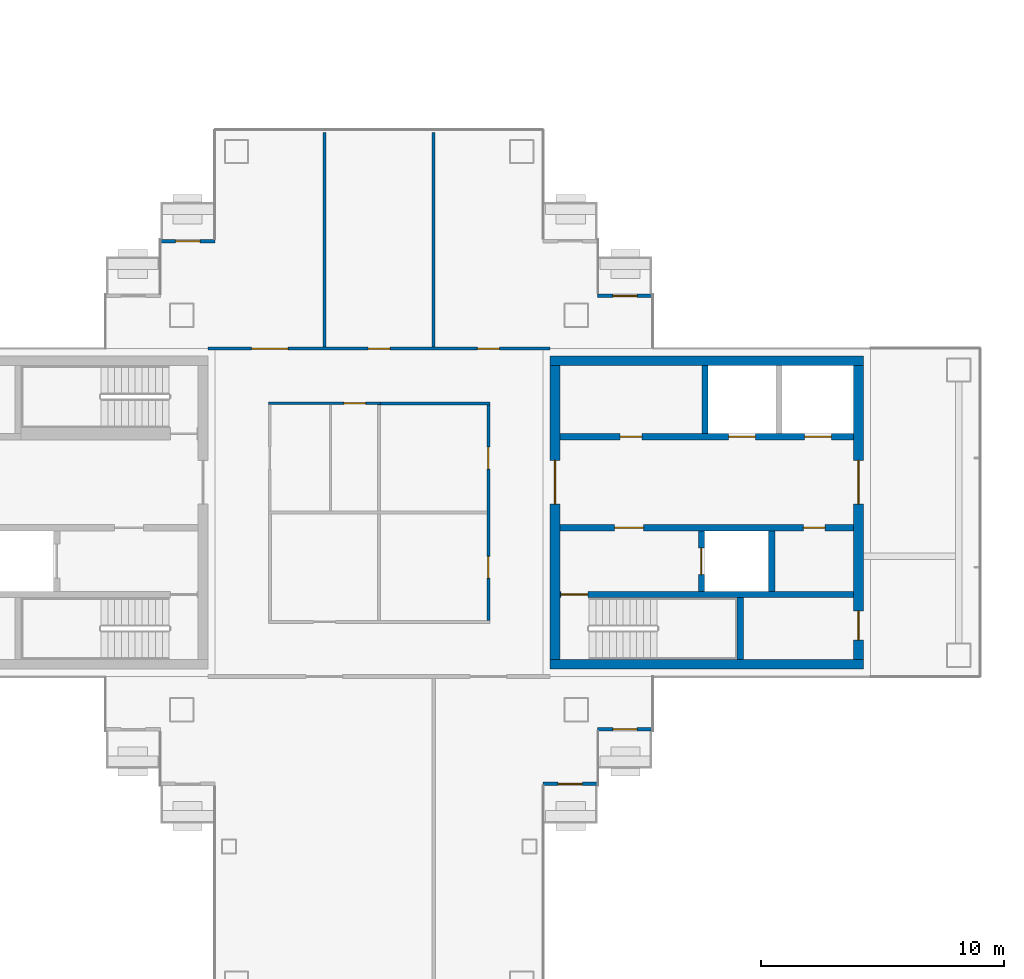
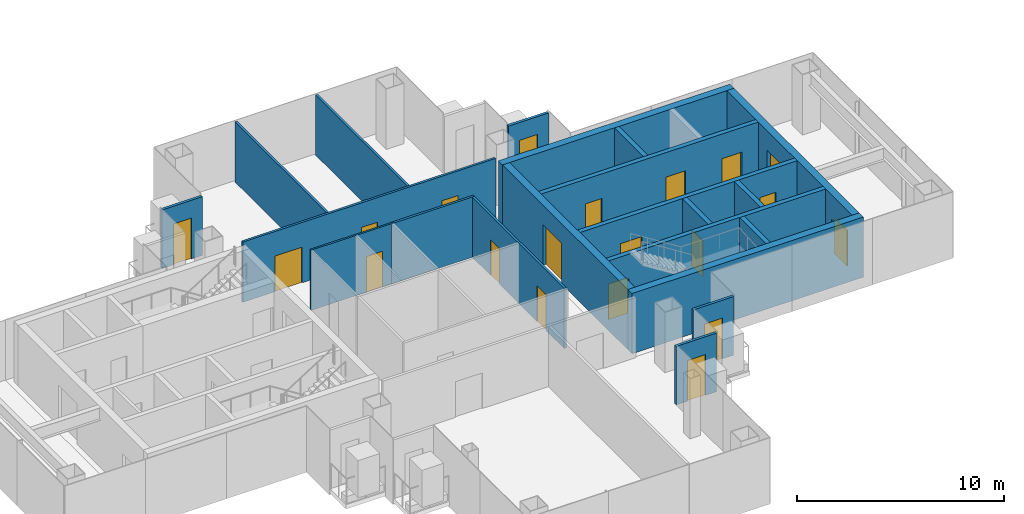
# One storey, part 9 of 15: 21 walls, 20 doors, 20 openings.
"""IFC4 building model written with IfcOpenShell, lengths in metres."""

from ifc_helpers import new_model, si_unit, direction, frame, frame_2d, origin, place, context, subcontext, project, spatial, rectangle, extrude, material, layer, layer_set, type_object, element, fill, save


model = new_model("IFC4")

# Units and contexts
model_context = context("Model", 3, precision=1e-05, world=origin(), true_north=direction((0.0, 1.0)))
body_context = subcontext(model_context, "Body", "Model", "MODEL_VIEW")
ifc_project = project(units=[si_unit("LENGTHUNIT", "METRE"), si_unit("AREAUNIT", "SQUARE_METRE"), si_unit("VOLUMEUNIT", "CUBIC_METRE"), si_unit("PLANEANGLEUNIT", "RADIAN"), si_unit("MASSUNIT", "GRAM", prefix="KILO")], contexts=[model_context])

# Site, building, storey
site_placement = place(None, origin())
site = spatial("IfcSite", under=ifc_project, at=site_placement, CompositionType="ELEMENT")
building_placement = place(site_placement, origin())
building = spatial("IfcBuilding", under=site, at=building_placement, Name="Shamsa Quay Exchange Towers", CompositionType="ELEMENT")
storey_placement = place(building_placement, frame((0.0, 0.0, 202.199951171875)))
storey = spatial("IfcBuildingStorey", under=building, at=storey_placement, Name="L48", CompositionType="ELEMENT", Elevation=202.199951171875)

# Wall, opening, door
ifc_material_1 = material(Name="Aluminium EN AW-6063 T6, black anodised, with black enamelled glass infill", Category="aluminium")
ifc_layer_1 = layer(ifc_material_1, 0.14990234375)
ifc_layer_set_1 = layer_set([ifc_layer_1], Name="BALCONY DOOR BAY WALL 150")
wall_type_1 = type_object("IfcWallType", Name="BALCONY DOOR BAY WALL 150", PredefinedType="SOLIDWALL", material=ifc_layer_set_1)
wall_1_placement = place(storey_placement, frame((-24.75, 8.925048828125, 0.0)))
wall_1 = element("IfcWall", 1, at=wall_1_placement, inside=storey, type_object=wall_type_1, Name="Door bay T1-PKEN L48", PredefinedType="SOLIDWALL", context=body_context, shape_type="SweptSolid", body=[
    extrude(rectangle(XDim=2.25, YDim=0.14990234375, at=frame_2d((1.125, 0.0))), origin(), (0.0, 0.0, 1.0), 3.449951171875),
])
opening_1_placement = place(wall_1_placement, frame((0.625, 0.0, 0.0)))
opening_1 = element("IfcOpeningElement", 2, at=opening_1_placement, cuts=wall_1, Name="Opening XD313", PredefinedType="OPENING", context=body_context, shape_type="SweptSolid", body=[
    extrude(rectangle(XDim=1.0, YDim=2.39990234375, at=frame_2d((0.5, 1.199951171875))), frame((0.0, 0.0849609375, 0.0), z_axis=(0.0, -1.0, 0.0), x_axis=(1.0, 0.0, 0.0)), (0.0, 0.0, 1.0), 0.169921875),
])
ifc_material_2 = material(Name="Aluminium EN AW-6063 T6, black anodised, with laminated glass leaf", Category="aluminium")
door_type_1 = type_object("IfcDoorType", Name="BALCONY DOOR 1000x2400", OperationType="SINGLE_SWING_LEFT", PredefinedType="DOOR", material=ifc_material_2)
door_1_placement = place(opening_1_placement, origin())
door_1 = element("IfcDoor", 3, at=door_1_placement, inside=storey, type_object=door_type_1, Name="Balcony door T1-PKEN L48", OperationType="SINGLE_SWING_RIGHT", OverallHeight=2.39990234375, OverallWidth=1.0, PredefinedType="DOOR", context=body_context, shape_type="SweptSolid", body=[
    extrude(rectangle(XDim=1.0, YDim=2.39990234375, at=frame_2d((0.5, 1.199951171875))), frame((0.0, 0.02490234375, 0.0), z_axis=(0.0, -1.0, 0.0), x_axis=(1.0, 0.0, 0.0)), (0.0, 0.0, 1.0), 0.050048828125),
])
fill(opening_1, door_1)

wall_2_placement = place(storey_placement, frame((-22.5, -8.925048828125, 0.0), z_axis=(0.0, 0.0, 1.0), x_axis=(-1.0, 0.0, 0.0)))
wall_2 = element("IfcWall", 4, at=wall_2_placement, inside=storey, type_object=wall_type_1, Name="Door bay T1-PKES L48", PredefinedType="SOLIDWALL", context=body_context, shape_type="SweptSolid", body=[
    extrude(rectangle(XDim=2.25, YDim=0.14990234375, at=frame_2d((1.125, 0.0))), origin(), (0.0, 0.0, 1.0), 3.449951171875),
])
opening_2_placement = place(wall_2_placement, frame((0.625, 0.0, 0.0)))
opening_2 = element("IfcOpeningElement", 5, at=opening_2_placement, cuts=wall_2, Name="Opening XD315", PredefinedType="OPENING", context=body_context, shape_type="SweptSolid", body=[
    extrude(rectangle(XDim=1.0, YDim=2.39990234375, at=frame_2d((0.5, 1.199951171875))), frame((0.0, 0.0849609375, 0.0), z_axis=(0.0, -1.0, 0.0), x_axis=(1.0, 0.0, 0.0)), (0.0, 0.0, 1.0), 0.169921875),
])
door_2_placement = place(opening_2_placement, origin())
door_2 = element("IfcDoor", 6, at=door_2_placement, inside=storey, type_object=door_type_1, Name="Balcony door T1-PKES L48", OperationType="SINGLE_SWING_RIGHT", OverallHeight=2.39990234375, OverallWidth=1.0, PredefinedType="DOOR", context=body_context, shape_type="SweptSolid", body=[
    extrude(rectangle(XDim=1.0, YDim=2.39990234375, at=frame_2d((0.5, 1.199951171875))), frame((0.0, 0.02490234375, 0.0), z_axis=(0.0, -1.0, 0.0), x_axis=(1.0, 0.0, 0.0)), (0.0, 0.0, 1.0), 0.050048828125),
])
fill(opening_2, door_2)

wall_3_placement = place(storey_placement, frame((-24.75, -11.175048828125, 0.0), z_axis=(0.0, 0.0, 1.0), x_axis=(-1.0, 0.0, 0.0)))
wall_3 = element("IfcWall", 7, at=wall_3_placement, inside=storey, type_object=wall_type_1, Name="Door bay T1-PKES L48", PredefinedType="SOLIDWALL", context=body_context, shape_type="SweptSolid", body=[
    extrude(rectangle(XDim=2.25, YDim=0.14990234375, at=frame_2d((1.125, 0.0))), origin(), (0.0, 0.0, 1.0), 3.449951171875),
])
opening_3_placement = place(wall_3_placement, frame((0.625, 0.0, 0.0)))
opening_3 = element("IfcOpeningElement", 8, at=opening_3_placement, cuts=wall_3, Name="Opening XD316", PredefinedType="OPENING", context=body_context, shape_type="SweptSolid", body=[
    extrude(rectangle(XDim=1.0, YDim=2.39990234375, at=frame_2d((0.5, 1.199951171875))), frame((0.0, 0.0849609375, 0.0), z_axis=(0.0, -1.0, 0.0), x_axis=(1.0, 0.0, 0.0)), (0.0, 0.0, 1.0), 0.169921875),
])
door_3_placement = place(opening_3_placement, origin())
door_3 = element("IfcDoor", 9, at=door_3_placement, inside=storey, type_object=door_type_1, Name="Balcony door T1-PKES L48", OperationType="SINGLE_SWING_LEFT", OverallHeight=2.39990234375, OverallWidth=1.0, PredefinedType="DOOR", context=body_context, shape_type="SweptSolid", body=[
    extrude(rectangle(XDim=1.0, YDim=2.39990234375, at=frame_2d((0.5, 1.199951171875))), frame((0.0, 0.02490234375, 0.0), z_axis=(0.0, -1.0, 0.0), x_axis=(1.0, 0.0, 0.0)), (0.0, 0.0, 1.0), 0.050048828125),
])
fill(opening_3, door_3)

wall_4_placement = place(storey_placement, frame((-42.75, 11.175048828125, 0.0)))
wall_4 = element("IfcWall", 10, at=wall_4_placement, inside=storey, type_object=wall_type_1, Name="Door bay T1-PKWN L48", PredefinedType="SOLIDWALL", context=body_context, shape_type="SweptSolid", body=[
    extrude(rectangle(XDim=2.25, YDim=0.14990234375, at=frame_2d((1.125, 0.0))), origin(), (0.0, 0.0, 1.0), 3.449951171875),
])
opening_4_placement = place(wall_4_placement, frame((0.625, 0.0, 0.0)))
opening_4 = element("IfcOpeningElement", 11, at=opening_4_placement, cuts=wall_4, Name="Opening XD317", PredefinedType="OPENING", context=body_context, shape_type="SweptSolid", body=[
    extrude(rectangle(XDim=1.0, YDim=2.39990234375, at=frame_2d((0.5, 1.199951171875))), frame((0.0, 0.0849609375, 0.0), z_axis=(0.0, -1.0, 0.0), x_axis=(1.0, 0.0, 0.0)), (0.0, 0.0, 1.0), 0.169921875),
])
door_4_placement = place(opening_4_placement, origin())
door_4 = element("IfcDoor", 12, at=door_4_placement, inside=storey, type_object=door_type_1, Name="Balcony door T1-PKWN L48", OperationType="SINGLE_SWING_LEFT", OverallHeight=2.39990234375, OverallWidth=1.0, PredefinedType="DOOR", context=body_context, shape_type="SweptSolid", body=[
    extrude(rectangle(XDim=1.0, YDim=2.39990234375, at=frame_2d((0.5, 1.199951171875))), frame((0.0, 0.02490234375, 0.0), z_axis=(0.0, -1.0, 0.0), x_axis=(1.0, 0.0, 0.0)), (0.0, 0.0, 1.0), 0.050048828125),
])
fill(opening_4, door_4)

# Walls
ifc_material_3 = material(Name="Concrete C60/75", Category="concrete")
ifc_layer_2 = layer(ifc_material_3, 0.39990234375)
ifc_layer_set_2 = layer_set([ifc_layer_2], Name="CORE WALL 400 C60/75")
wall_type_2 = type_object("IfcWallType", Name="CORE WALL 400 C60/75", PredefinedType="SHEAR", material=ifc_layer_set_2)
for number, where, name in (
    (13, (-26.699951171875, -6.25, 0.0), "Core wall T1A-R22-PS"),
    (14, (-26.699951171875, 6.25, 0.0), "Core wall T1A-R22-PN"),
):
    element("IfcWall", number, at=place(storey_placement, frame(where)), inside=storey, type_object=wall_type_2, Name=name, PredefinedType="SHEAR", context=body_context, shape_type="SweptSolid", body=[
        extrude(rectangle(XDim=12.89990234375, YDim=0.39990234375, at=frame_2d((6.449951171875, 0.0))), origin(), (0.0, 0.0, 1.0), 3.550048828125),
    ])

# Wall, opening, door
wall_5_placement = place(storey_placement, frame((-26.5, 6.050048828125, 0.0), z_axis=(0.0, 0.0, 1.0), x_axis=(0.0, -1.0, 0.0)))
wall_5 = element("IfcWall", 15, at=wall_5_placement, inside=storey, type_object=wall_type_2, Name="Core wall T1A-R22-PF", PredefinedType="SHEAR", context=body_context, shape_type="SweptSolid", body=[
    extrude(rectangle(XDim=12.10009765625, YDim=0.39990234375, at=frame_2d((6.050048828125, 0.0))), origin(), (0.0, 0.0, 1.0), 3.550048828125),
])
opening_5_placement = place(wall_5_placement, frame((3.89990234375, 0.0, 0.0)))
opening_5 = element("IfcOpeningElement", 16, at=opening_5_placement, cuts=wall_5, Name="Opening T1A-R22-LBD01", PredefinedType="OPENING", context=body_context, shape_type="SweptSolid", body=[
    extrude(rectangle(XDim=1.800048828125, YDim=2.39990234375, at=frame_2d((0.89990234375, 1.199951171875))), frame((0.0, 0.2099609375, 0.0), z_axis=(0.0, -1.0, 0.0), x_axis=(1.0, 0.0, 0.0)), (0.0, 0.0, 1.0), 0.419921875),
])
ifc_material_4 = material(Name="Steel, fire rated", Category="steel")
door_type_2 = type_object("IfcDoorType", Name="LIFT LOBBY DOOR PAIR 1800", OperationType="DOUBLE_DOOR_SINGLE_SWING", PredefinedType="DOOR", material=ifc_material_4)
door_5_placement = place(opening_5_placement, origin())
door_5 = element("IfcDoor", 17, at=door_5_placement, inside=storey, type_object=door_type_2, Name="T1A-R22-LBD01", OperationType="DOUBLE_DOOR_SINGLE_SWING", OverallHeight=2.39990234375, OverallWidth=1.800048828125, PredefinedType="DOOR", context=body_context, shape_type="SweptSolid", body=[
    extrude(rectangle(XDim=1.800048828125, YDim=2.39990234375, at=frame_2d((0.89990234375, 1.199951171875))), frame((0.0, 0.02490234375, 0.0), z_axis=(0.0, -1.0, 0.0), x_axis=(1.0, 0.0, 0.0)), (0.0, 0.0, 1.0), 0.050048828125),
])
fill(opening_5, door_5)

# Wall, openings, doors
wall_6_placement = place(storey_placement, frame((-14.0, 6.050048828125, 0.0), z_axis=(0.0, 0.0, 1.0), x_axis=(0.0, -1.0, 0.0)))
wall_6 = element("IfcWall", 18, at=wall_6_placement, inside=storey, type_object=wall_type_2, Name="Core wall T1A-R22-PB", PredefinedType="SHEAR", context=body_context, shape_type="SweptSolid", body=[
    extrude(rectangle(XDim=12.10009765625, YDim=0.39990234375, at=frame_2d((6.050048828125, 0.0))), origin(), (0.0, 0.0, 1.0), 3.550048828125),
])
opening_6_placement = place(wall_6_placement, frame((10.10009765625, 0.0, 0.0)))
opening_6 = element("IfcOpeningElement", 19, at=opening_6_placement, cuts=wall_6, Name="Opening T1A-R22-RD02", PredefinedType="OPENING", context=body_context, shape_type="SweptSolid", body=[
    extrude(rectangle(XDim=1.199951171875, YDim=2.10009765625, at=frame_2d((0.60009765625, 1.050048828125))), frame((0.0, 0.2099609375, 0.0), z_axis=(0.0, -1.0, 0.0), x_axis=(1.0, 0.0, 0.0)), (0.0, 0.0, 1.0), 0.419921875),
])
opening_7_placement = place(wall_6_placement, frame((3.89990234375, 0.0, 0.0)))
opening_7 = element("IfcOpeningElement", 20, at=opening_7_placement, cuts=wall_6, Name="Opening T1A-R22-LBD03", PredefinedType="OPENING", context=body_context, shape_type="SweptSolid", body=[
    extrude(rectangle(XDim=1.800048828125, YDim=2.39990234375, at=frame_2d((0.89990234375, 1.199951171875))), frame((0.0, 0.2099609375, 0.0), z_axis=(0.0, -1.0, 0.0), x_axis=(1.0, 0.0, 0.0)), (0.0, 0.0, 1.0), 0.419921875),
])
door_6_placement = place(opening_7_placement, origin())
door_6 = element("IfcDoor", 21, at=door_6_placement, inside=storey, type_object=door_type_2, Name="T1A-R22-LBD03", OperationType="DOUBLE_DOOR_SINGLE_SWING", OverallHeight=2.39990234375, OverallWidth=1.800048828125, PredefinedType="DOOR", context=body_context, shape_type="SweptSolid", body=[
    extrude(rectangle(XDim=1.800048828125, YDim=2.39990234375, at=frame_2d((0.89990234375, 1.199951171875))), frame((0.0, 0.02490234375, 0.0), z_axis=(0.0, -1.0, 0.0), x_axis=(1.0, 0.0, 0.0)), (0.0, 0.0, 1.0), 0.050048828125),
])
fill(opening_7, door_6)
door_type_3 = type_object("IfcDoorType", Name="RISER ACCESS DOOR 1200", OperationType="SINGLE_SWING_LEFT", PredefinedType="DOOR", material=ifc_material_4)
door_7_placement = place(opening_6_placement, origin())
door_7 = element("IfcDoor", 22, at=door_7_placement, inside=storey, type_object=door_type_3, Name="T1A-R22-RD02", OperationType="SINGLE_SWING_RIGHT", OverallHeight=2.10009765625, OverallWidth=1.199951171875, PredefinedType="DOOR", context=body_context, shape_type="SweptSolid", body=[
    extrude(rectangle(XDim=1.199951171875, YDim=2.10009765625, at=frame_2d((0.60009765625, 1.050048828125))), frame((0.0, 0.02490234375, 0.0), z_axis=(0.0, -1.0, 0.0), x_axis=(1.0, 0.0, 0.0)), (0.0, 0.0, 1.0), 0.050048828125),
])
fill(opening_6, door_7)

ifc_material_5 = material(Name="Laminated fire-resisting glass in a metal frame", Category="glass")
ifc_layer_3 = layer(ifc_material_5, 0.125)
ifc_layer_set_3 = layer_set([ifc_layer_3], Name="Glazed partition 125 mm EI 60")
wall_type_3 = type_object("IfcWallType", Name="Glazed partition 125 mm EI 60", PredefinedType="PARTITIONING", material=ifc_layer_set_3)
wall_7_placement = place(storey_placement, frame((-29.25, -4.4375, 0.0), z_axis=(0.0, 0.0, 1.0), x_axis=(0.0, 1.0, 0.0)))
wall_7 = element("IfcWall", 23, at=wall_7_placement, inside=storey, type_object=wall_type_3, Name="Partition T1-R22-W01", PredefinedType="PARTITIONING", context=body_context, shape_type="SweptSolid", body=[
    extrude(rectangle(XDim=8.875, YDim=0.125, at=frame_2d((4.4375, 0.0))), origin(), (0.0, 0.0, 1.0), 3.550048828125),
])
opening_8_placement = place(wall_7_placement, frame((1.737548828125, 0.0, 0.0)))
opening_8 = element("IfcOpeningElement", 24, at=opening_8_placement, cuts=wall_7, Name="Opening T1-R22-D07", PredefinedType="OPENING", context=body_context, shape_type="SweptSolid", body=[
    extrude(rectangle(XDim=0.89990234375, YDim=2.10009765625, at=frame_2d((0.449951171875, 1.050048828125))), frame((0.0, 0.072509765625, 0.0), z_axis=(0.0, -1.0, 0.0), x_axis=(1.0, 0.0, 0.0)), (0.0, 0.0, 1.0), 0.14501953125),
])
opening_9_placement = place(wall_7_placement, frame((6.237548828125, 0.0, 0.0)))
opening_9 = element("IfcOpeningElement", 25, at=opening_9_placement, cuts=wall_7, Name="Opening T1-R22-D08", PredefinedType="OPENING", context=body_context, shape_type="SweptSolid", body=[
    extrude(rectangle(XDim=0.89990234375, YDim=2.10009765625, at=frame_2d((0.449951171875, 1.050048828125))), frame((0.0, 0.072509765625, 0.0), z_axis=(0.0, -1.0, 0.0), x_axis=(1.0, 0.0, 0.0)), (0.0, 0.0, 1.0), 0.14501953125),
])
ifc_material_6 = material(Name="Timber door leaf in a metal frame", Category="wood")
door_type_4 = type_object("IfcDoorType", Name="Door 900x2100 FD30S", OperationType="NOTDEFINED", PredefinedType="DOOR", material=ifc_material_6)
door_8_placement = place(opening_8_placement, origin())
door_8 = element("IfcDoor", 26, at=door_8_placement, inside=storey, type_object=door_type_4, Name="Door T1-R22-D07", OperationType="SINGLE_SWING_RIGHT", OverallHeight=2.10009765625, OverallWidth=0.89990234375, PredefinedType="DOOR", context=body_context, shape_type="SweptSolid", body=[
    extrude(rectangle(XDim=0.89990234375, YDim=2.10009765625, at=frame_2d((0.449951171875, 1.050048828125))), frame((0.0, 0.02490234375, 0.0), z_axis=(0.0, -1.0, 0.0), x_axis=(1.0, 0.0, 0.0)), (0.0, 0.0, 1.0), 0.050048828125),
])
fill(opening_8, door_8)
door_9_placement = place(opening_9_placement, origin())
door_9 = element("IfcDoor", 27, at=door_9_placement, inside=storey, type_object=door_type_4, Name="Door T1-R22-D08", OperationType="SINGLE_SWING_RIGHT", OverallHeight=2.10009765625, OverallWidth=0.89990234375, PredefinedType="DOOR", context=body_context, shape_type="SweptSolid", body=[
    extrude(rectangle(XDim=0.89990234375, YDim=2.10009765625, at=frame_2d((0.449951171875, 1.050048828125))), frame((0.0, 0.02490234375, 0.0), z_axis=(0.0, -1.0, 0.0), x_axis=(1.0, 0.0, 0.0)), (0.0, 0.0, 1.0), 0.050048828125),
])
fill(opening_9, door_9)

# Wall
wall_8_placement = place(storey_placement, frame((-29.1875, 4.5, 0.0), z_axis=(0.0, 0.0, 1.0), x_axis=(-1.0, 0.0, 0.0)))
element("IfcWall", 28, at=wall_8_placement, inside=storey, type_object=wall_type_3, Name="Partition T1-R22-W02", PredefinedType="PARTITIONING", context=body_context, shape_type="SweptSolid", body=[
    extrude(rectangle(XDim=4.625, YDim=0.125, at=frame_2d((2.3125, 0.0))), origin(), (0.0, 0.0, 1.0), 3.550048828125),
])

# Wall, openings, doors
wall_9_placement = place(storey_placement, frame((-40.800048828125, 6.75, 0.0)))
wall_9 = element("IfcWall", 29, at=wall_9_placement, inside=storey, type_object=wall_type_3, Name="Partition T1-R22-W07", PredefinedType="PARTITIONING", context=body_context, shape_type="SweptSolid", body=[
    extrude(rectangle(XDim=14.10009765625, YDim=0.125, at=frame_2d((7.050048828125, 0.0))), origin(), (0.0, 0.0, 1.0), 3.550048828125),
])
opening_10_placement = place(wall_9_placement, frame((1.800048828125, 0.0, 0.0)))
opening_10 = element("IfcOpeningElement", 30, at=opening_10_placement, cuts=wall_9, Name="Opening T1-R22-D01", PredefinedType="OPENING", context=body_context, shape_type="SweptSolid", body=[
    extrude(rectangle(XDim=1.5, YDim=2.10009765625, at=frame_2d((0.75, 1.050048828125))), frame((0.0, 0.072509765625, 0.0), z_axis=(0.0, -1.0, 0.0), x_axis=(1.0, 0.0, 0.0)), (0.0, 0.0, 1.0), 0.14501953125),
])
opening_11_placement = place(wall_9_placement, frame((6.60009765625, 0.0, 0.0)))
opening_11 = element("IfcOpeningElement", 31, at=opening_11_placement, cuts=wall_9, Name="Opening T1-R22-D02", PredefinedType="OPENING", context=body_context, shape_type="SweptSolid", body=[
    extrude(rectangle(XDim=0.89990234375, YDim=2.10009765625, at=frame_2d((0.449951171875, 1.050048828125))), frame((0.0, 0.072509765625, 0.0), z_axis=(0.0, -1.0, 0.0), x_axis=(1.0, 0.0, 0.0)), (0.0, 0.0, 1.0), 0.14501953125),
])
opening_12_placement = place(wall_9_placement, frame((11.10009765625, 0.0, 0.0)))
opening_12 = element("IfcOpeningElement", 32, at=opening_12_placement, cuts=wall_9, Name="Opening T1-R22-D03", PredefinedType="OPENING", context=body_context, shape_type="SweptSolid", body=[
    extrude(rectangle(XDim=0.89990234375, YDim=2.10009765625, at=frame_2d((0.449951171875, 1.050048828125))), frame((0.0, 0.072509765625, 0.0), z_axis=(0.0, -1.0, 0.0), x_axis=(1.0, 0.0, 0.0)), (0.0, 0.0, 1.0), 0.14501953125),
])
door_type_5 = type_object("IfcDoorType", Name="Door 1500x2100 FD30S pair", OperationType="NOTDEFINED", PredefinedType="DOOR", material=ifc_material_6)
door_10_placement = place(opening_10_placement, origin())
door_10 = element("IfcDoor", 33, at=door_10_placement, inside=storey, type_object=door_type_5, Name="Door T1-R22-D01", OperationType="DOUBLE_DOOR_SINGLE_SWING", OverallHeight=2.10009765625, OverallWidth=1.5, PredefinedType="DOOR", context=body_context, shape_type="SweptSolid", body=[
    extrude(rectangle(XDim=1.5, YDim=2.10009765625, at=frame_2d((0.75, 1.050048828125))), frame((0.0, 0.02490234375, 0.0), z_axis=(0.0, -1.0, 0.0), x_axis=(1.0, 0.0, 0.0)), (0.0, 0.0, 1.0), 0.050048828125),
])
fill(opening_10, door_10)
door_11_placement = place(opening_11_placement, origin())
door_11 = element("IfcDoor", 34, at=door_11_placement, inside=storey, type_object=door_type_4, Name="Door T1-R22-D02", OperationType="SINGLE_SWING_RIGHT", OverallHeight=2.10009765625, OverallWidth=0.89990234375, PredefinedType="DOOR", context=body_context, shape_type="SweptSolid", body=[
    extrude(rectangle(XDim=0.89990234375, YDim=2.10009765625, at=frame_2d((0.449951171875, 1.050048828125))), frame((0.0, 0.02490234375, 0.0), z_axis=(0.0, -1.0, 0.0), x_axis=(1.0, 0.0, 0.0)), (0.0, 0.0, 1.0), 0.050048828125),
])
fill(opening_11, door_11)
door_12_placement = place(opening_12_placement, origin())
door_12 = element("IfcDoor", 35, at=door_12_placement, inside=storey, type_object=door_type_4, Name="Door T1-R22-D03", OperationType="SINGLE_SWING_LEFT", OverallHeight=2.10009765625, OverallWidth=0.89990234375, PredefinedType="DOOR", context=body_context, shape_type="SweptSolid", body=[
    extrude(rectangle(XDim=0.89990234375, YDim=2.10009765625, at=frame_2d((0.449951171875, 1.050048828125))), frame((0.0, 0.02490234375, 0.0), z_axis=(0.0, -1.0, 0.0), x_axis=(1.0, 0.0, 0.0)), (0.0, 0.0, 1.0), 0.050048828125),
])
fill(opening_12, door_12)

# Walls
for number, where, z_axis, x_axis, name in (
    (36, (-36.0, 6.8125, 0.0), (0.0, 0.0, 1.0), (0.0, 1.0, 0.0), "Partition T1-R22-W12"),
    (37, (-31.5, 6.8125, 0.0), (0.0, 0.0, 1.0), (0.0, 1.0, 0.0), "Partition T1-R22-W13"),
):
    element("IfcWall", number, at=place(storey_placement, frame(where, z_axis=z_axis, x_axis=x_axis)), inside=storey, type_object=wall_type_3, Name=name, PredefinedType="PARTITIONING", context=body_context, shape_type="SweptSolid", body=[
        extrude(rectangle(XDim=8.842529296875, YDim=0.125, at=frame_2d((4.42138671875, 0.0))), origin(), (0.0, 0.0, 1.0), 3.550048828125),
    ])

# Wall, opening, door
ifc_material_7 = material(Name="Gypsum board partition on metal studs")
ifc_layer_4 = layer(ifc_material_7, 0.10009765625)
ifc_layer_set_4 = layer_set([ifc_layer_4], Name="Partition 100 mm NOT RATED")
wall_type_4 = type_object("IfcWallType", Name="Partition 100 mm NOT RATED", PredefinedType="PARTITIONING", material=ifc_layer_set_4)
wall_10_placement = place(storey_placement, frame((-33.6875, 4.5, 0.0), z_axis=(0.0, 0.0, 1.0), x_axis=(-1.0, 0.0, 0.0)))
wall_10 = element("IfcWall", 38, at=wall_10_placement, inside=storey, type_object=wall_type_4, Name="Partition T1-R22-W05", PredefinedType="PARTITIONING", context=body_context, shape_type="SweptSolid", body=[
    extrude(rectangle(XDim=4.612548828125, YDim=0.10009765625, at=frame_2d((2.30615234375, 0.0))), origin(), (0.0, 0.0, 1.0), 3.550048828125),
])
opening_13_placement = place(wall_10_placement, frame((0.612548828125, 0.0, 0.0)))
opening_13 = element("IfcOpeningElement", 39, at=opening_13_placement, cuts=wall_10, Name="Opening T1-R22-D06", PredefinedType="OPENING", context=body_context, shape_type="SweptSolid", body=[
    extrude(rectangle(XDim=0.89990234375, YDim=2.10009765625, at=frame_2d((0.449951171875, 1.050048828125))), frame((0.0, 0.06005859375, 0.0), z_axis=(0.0, -1.0, 0.0), x_axis=(1.0, 0.0, 0.0)), (0.0, 0.0, 1.0), 0.1201171875),
])
door_type_6 = type_object("IfcDoorType", Name="Door 900x2100 NOT RATED", OperationType="NOTDEFINED", PredefinedType="DOOR", material=ifc_material_6)
door_13_placement = place(opening_13_placement, origin())
door_13 = element("IfcDoor", 40, at=door_13_placement, inside=storey, type_object=door_type_6, Name="Door T1-R22-D06", OperationType="SINGLE_SWING_LEFT", OverallHeight=2.10009765625, OverallWidth=0.89990234375, PredefinedType="DOOR", context=body_context, shape_type="SweptSolid", body=[
    extrude(rectangle(XDim=0.89990234375, YDim=2.10009765625, at=frame_2d((0.449951171875, 1.050048828125))), frame((0.0, 0.02490234375, 0.0), z_axis=(0.0, -1.0, 0.0), x_axis=(1.0, 0.0, 0.0)), (0.0, 0.0, 1.0), 0.050048828125),
])
fill(opening_13, door_13)

ifc_material_8 = material(Name="Concrete C50/60", Category="concrete")
ifc_layer_5 = layer(ifc_material_8, 0.25)
ifc_layer_set_5 = layer_set([ifc_layer_5], Name="SHAFT WALL 250 C50/60")
wall_type_5 = type_object("IfcWallType", Name="SHAFT WALL 250 C50/60", PredefinedType="SHEAR", material=ifc_layer_set_5)
wall_11_placement = place(storey_placement, frame((-14.199951171875, -3.375, 0.0), z_axis=(0.0, 0.0, 1.0), x_axis=(-1.0, 0.0, 0.0)))
wall_11 = element("IfcWall", 41, at=wall_11_placement, inside=storey, type_object=wall_type_5, Name="Shaft wall T1A-R22-STL", PredefinedType="SHEAR", context=body_context, shape_type="SweptSolid", body=[
    extrude(rectangle(XDim=12.10009765625, YDim=0.25, at=frame_2d((6.050048828125, 0.0))), origin(), (0.0, 0.0, 1.0), 3.550048828125),
])
opening_14_placement = place(wall_11_placement, frame((10.949951171875, 0.0, 0.0)))
opening_14 = element("IfcOpeningElement", 42, at=opening_14_placement, cuts=wall_11, Name="Opening T1A-R22-SD04", PredefinedType="OPENING", context=body_context, shape_type="SweptSolid", body=[
    extrude(rectangle(XDim=1.10009765625, YDim=2.10009765625, at=frame_2d((0.550048828125, 1.050048828125))), frame((0.0, 0.135009765625, 0.0), z_axis=(0.0, -1.0, 0.0), x_axis=(1.0, 0.0, 0.0)), (0.0, 0.0, 1.0), 0.27001953125),
])
door_type_7 = type_object("IfcDoorType", Name="STAIR DOOR 1100", OperationType="SINGLE_SWING_LEFT", PredefinedType="DOOR", material=ifc_material_4)
door_14_placement = place(opening_14_placement, origin())
door_14 = element("IfcDoor", 43, at=door_14_placement, inside=storey, type_object=door_type_7, Name="T1A-R22-SD04", OperationType="SINGLE_SWING_RIGHT", OverallHeight=2.10009765625, OverallWidth=1.10009765625, PredefinedType="DOOR", context=body_context, shape_type="SweptSolid", body=[
    extrude(rectangle(XDim=1.10009765625, YDim=2.10009765625, at=frame_2d((0.550048828125, 1.050048828125))), frame((0.0, 0.02490234375, 0.0), z_axis=(0.0, -1.0, 0.0), x_axis=(1.0, 0.0, 0.0)), (0.0, 0.0, 1.0), 0.050048828125),
])
fill(opening_14, door_14)

# Wall
wall_12_placement = place(storey_placement, frame((-18.875, -6.050048828125, 0.0), z_axis=(0.0, 0.0, 1.0), x_axis=(0.0, 1.0, 0.0)))
element("IfcWall", 44, at=wall_12_placement, inside=storey, type_object=wall_type_5, Name="Shaft wall T1A-R22-STF", PredefinedType="SHEAR", context=body_context, shape_type="SweptSolid", body=[
    extrude(rectangle(XDim=2.550048828125, YDim=0.25, at=frame_2d((1.27490234375, 0.0))), origin(), (0.0, 0.0, 1.0), 3.550048828125),
])

# Wall, openings, doors
wall_13_placement = place(storey_placement, frame((-14.199951171875, -0.625, 0.0), z_axis=(0.0, 0.0, 1.0), x_axis=(-1.0, 0.0, 0.0)))
wall_13 = element("IfcWall", 45, at=wall_13_placement, inside=storey, type_object=wall_type_5, Name="Shaft wall T1A-R22-B", PredefinedType="SHEAR", context=body_context, shape_type="SweptSolid", body=[
    extrude(rectangle(XDim=12.10009765625, YDim=0.25, at=frame_2d((6.050048828125, 0.0))), origin(), (0.0, 0.0, 1.0), 3.550048828125),
])
opening_15_placement = place(wall_13_placement, frame((8.64990234375, 0.0, 0.0)))
opening_15 = element("IfcOpeningElement", 46, at=opening_15_placement, cuts=wall_13, Name="Opening T1A-R22-FD05", PredefinedType="OPENING", context=body_context, shape_type="SweptSolid", body=[
    extrude(rectangle(XDim=1.199951171875, YDim=2.10009765625, at=frame_2d((0.60009765625, 1.050048828125))), frame((0.0, 0.135009765625, 0.0), z_axis=(0.0, -1.0, 0.0), x_axis=(1.0, 0.0, 0.0)), (0.0, 0.0, 1.0), 0.27001953125),
])
opening_16_placement = place(wall_13_placement, frame((1.175048828125, 0.0, 0.0)))
opening_16 = element("IfcOpeningElement", 47, at=opening_16_placement, cuts=wall_13, Name="Opening T1A-R22-SV06", PredefinedType="OPENING", context=body_context, shape_type="SweptSolid", body=[
    extrude(rectangle(XDim=0.89990234375, YDim=2.10009765625, at=frame_2d((0.449951171875, 1.050048828125))), frame((0.0, 0.135009765625, 0.0), z_axis=(0.0, -1.0, 0.0), x_axis=(1.0, 0.0, 0.0)), (0.0, 0.0, 1.0), 0.27001953125),
])
door_type_8 = type_object("IfcDoorType", Name="FIRE SERVICE LOBBY DOOR 1200", OperationType="SINGLE_SWING_LEFT", PredefinedType="DOOR", material=ifc_material_4)
door_15_placement = place(opening_15_placement, origin())
door_15 = element("IfcDoor", 48, at=door_15_placement, inside=storey, type_object=door_type_8, Name="T1A-R22-FD05", OperationType="SINGLE_SWING_RIGHT", OverallHeight=2.10009765625, OverallWidth=1.199951171875, PredefinedType="DOOR", context=body_context, shape_type="SweptSolid", body=[
    extrude(rectangle(XDim=1.199951171875, YDim=2.10009765625, at=frame_2d((0.60009765625, 1.050048828125))), frame((0.0, 0.02490234375, 0.0), z_axis=(0.0, -1.0, 0.0), x_axis=(1.0, 0.0, 0.0)), (0.0, 0.0, 1.0), 0.050048828125),
])
fill(opening_15, door_15)
door_type_9 = type_object("IfcDoorType", Name="SERVICE ROOM DOOR 900", OperationType="SINGLE_SWING_LEFT", PredefinedType="DOOR", material=ifc_material_4)
door_16_placement = place(opening_16_placement, origin())
door_16 = element("IfcDoor", 49, at=door_16_placement, inside=storey, type_object=door_type_9, Name="T1A-R22-SV06", OperationType="SINGLE_SWING_LEFT", OverallHeight=2.10009765625, OverallWidth=0.89990234375, PredefinedType="DOOR", context=body_context, shape_type="SweptSolid", body=[
    extrude(rectangle(XDim=0.89990234375, YDim=2.10009765625, at=frame_2d((0.449951171875, 1.050048828125))), frame((0.0, 0.02490234375, 0.0), z_axis=(0.0, -1.0, 0.0), x_axis=(1.0, 0.0, 0.0)), (0.0, 0.0, 1.0), 0.050048828125),
])
fill(opening_16, door_16)

# Wall, opening, door
wall_14_placement = place(storey_placement, frame((-20.47509765625, -3.25, 0.0), z_axis=(0.0, 0.0, 1.0), x_axis=(0.0, 1.0, 0.0)))
wall_14 = element("IfcWall", 50, at=wall_14_placement, inside=storey, type_object=wall_type_5, Name="Shaft wall T1A-R22-FFF", PredefinedType="SHEAR", context=body_context, shape_type="SweptSolid", body=[
    extrude(rectangle(XDim=2.5, YDim=0.25, at=frame_2d((1.25, 0.0))), origin(), (0.0, 0.0, 1.0), 3.550048828125),
])
opening_17_placement = place(wall_14_placement, frame((0.699951171875, 0.0, 0.0)))
opening_17 = element("IfcOpeningElement", 51, at=opening_17_placement, cuts=wall_14, Name="Opening T1A-R22-LDF07", PredefinedType="OPENING", context=body_context, shape_type="SweptSolid", body=[
    extrude(rectangle(XDim=1.10009765625, YDim=2.10009765625, at=frame_2d((0.550048828125, 1.050048828125))), frame((0.0, 0.135009765625, 0.0), z_axis=(0.0, -1.0, 0.0), x_axis=(1.0, 0.0, 0.0)), (0.0, 0.0, 1.0), 0.27001953125),
])
door_type_10 = type_object("IfcDoorType", Name="FIRE SERVICE LANDING DOOR 1100", OperationType="SLIDING_TO_LEFT", PredefinedType="DOOR", material=ifc_material_4)
door_17_placement = place(opening_17_placement, origin())
door_17 = element("IfcDoor", 52, at=door_17_placement, inside=storey, type_object=door_type_10, Name="T1A-R22-LDF07", OperationType="SLIDING_TO_LEFT", OverallHeight=2.10009765625, OverallWidth=1.10009765625, PredefinedType="DOOR", context=body_context, shape_type="SweptSolid", body=[
    extrude(rectangle(XDim=1.10009765625, YDim=2.10009765625, at=frame_2d((0.550048828125, 1.050048828125))), frame((0.0, 0.02490234375, 0.0), z_axis=(0.0, -1.0, 0.0), x_axis=(1.0, 0.0, 0.0)), (0.0, 0.0, 1.0), 0.050048828125),
])
fill(opening_17, door_17)

# Wall
wall_15_placement = place(storey_placement, frame((-17.574951171875, -3.25, 0.0), z_axis=(0.0, 0.0, 1.0), x_axis=(0.0, 1.0, 0.0)))
element("IfcWall", 53, at=wall_15_placement, inside=storey, type_object=wall_type_5, Name="Shaft wall T1A-R22-FFB", PredefinedType="SHEAR", context=body_context, shape_type="SweptSolid", body=[
    extrude(rectangle(XDim=2.5, YDim=0.25, at=frame_2d((1.25, 0.0))), origin(), (0.0, 0.0, 1.0), 3.550048828125),
])

# Wall, openings, doors
wall_16_placement = place(storey_placement, frame((-26.300048828125, 3.125, 0.0)))
wall_16 = element("IfcWall", 54, at=wall_16_placement, inside=storey, type_object=wall_type_5, Name="Shaft wall T1A-R22-N", PredefinedType="SHEAR", context=body_context, shape_type="SweptSolid", body=[
    extrude(rectangle(XDim=12.10009765625, YDim=0.25, at=frame_2d((6.050048828125, 0.0))), origin(), (0.0, 0.0, 1.0), 3.550048828125),
])
opening_18_placement = place(wall_16_placement, frame((6.949951171875, 0.0, 0.0)))
opening_18 = element("IfcOpeningElement", 55, at=opening_18_placement, cuts=wall_16, Name="Opening T1A-R22-LD08", PredefinedType="OPENING", context=body_context, shape_type="SweptSolid", body=[
    extrude(rectangle(XDim=1.10009765625, YDim=2.10009765625, at=frame_2d((0.550048828125, 1.050048828125))), frame((0.0, 0.135009765625, 0.0), z_axis=(0.0, -1.0, 0.0), x_axis=(1.0, 0.0, 0.0)), (0.0, 0.0, 1.0), 0.27001953125),
])
opening_19_placement = place(wall_16_placement, frame((10.074951171875, 0.0, 0.0)))
opening_19 = element("IfcOpeningElement", 56, at=opening_19_placement, cuts=wall_16, Name="Opening T1A-R22-LD09", PredefinedType="OPENING", context=body_context, shape_type="SweptSolid", body=[
    extrude(rectangle(XDim=1.10009765625, YDim=2.10009765625, at=frame_2d((0.550048828125, 1.050048828125))), frame((0.0, 0.135009765625, 0.0), z_axis=(0.0, -1.0, 0.0), x_axis=(1.0, 0.0, 0.0)), (0.0, 0.0, 1.0), 0.27001953125),
])
opening_20_placement = place(wall_16_placement, frame((2.47509765625, 0.0, 0.0)))
opening_20 = element("IfcOpeningElement", 57, at=opening_20_placement, cuts=wall_16, Name="Opening T1A-R22-SV10", PredefinedType="OPENING", context=body_context, shape_type="SweptSolid", body=[
    extrude(rectangle(XDim=0.89990234375, YDim=2.10009765625, at=frame_2d((0.449951171875, 1.050048828125))), frame((0.0, 0.135009765625, 0.0), z_axis=(0.0, -1.0, 0.0), x_axis=(1.0, 0.0, 0.0)), (0.0, 0.0, 1.0), 0.27001953125),
])
door_type_11 = type_object("IfcDoorType", Name="LANDING DOOR 1100", OperationType="SLIDING_TO_LEFT", PredefinedType="DOOR", material=ifc_material_4)
door_18_placement = place(opening_18_placement, origin())
door_18 = element("IfcDoor", 58, at=door_18_placement, inside=storey, type_object=door_type_11, Name="T1A-R22-LD08", OperationType="SLIDING_TO_LEFT", OverallHeight=2.10009765625, OverallWidth=1.10009765625, PredefinedType="DOOR", context=body_context, shape_type="SweptSolid", body=[
    extrude(rectangle(XDim=1.10009765625, YDim=2.10009765625, at=frame_2d((0.550048828125, 1.050048828125))), frame((0.0, 0.02490234375, 0.0), z_axis=(0.0, -1.0, 0.0), x_axis=(1.0, 0.0, 0.0)), (0.0, 0.0, 1.0), 0.050048828125),
])
fill(opening_18, door_18)
door_19_placement = place(opening_19_placement, origin())
door_19 = element("IfcDoor", 59, at=door_19_placement, inside=storey, type_object=door_type_11, Name="T1A-R22-LD09", OperationType="SLIDING_TO_LEFT", OverallHeight=2.10009765625, OverallWidth=1.10009765625, PredefinedType="DOOR", context=body_context, shape_type="SweptSolid", body=[
    extrude(rectangle(XDim=1.10009765625, YDim=2.10009765625, at=frame_2d((0.550048828125, 1.050048828125))), frame((0.0, 0.02490234375, 0.0), z_axis=(0.0, -1.0, 0.0), x_axis=(1.0, 0.0, 0.0)), (0.0, 0.0, 1.0), 0.050048828125),
])
fill(opening_19, door_19)
door_20_placement = place(opening_20_placement, origin())
door_20 = element("IfcDoor", 60, at=door_20_placement, inside=storey, type_object=door_type_9, Name="T1A-R22-SV10", OperationType="SINGLE_SWING_LEFT", OverallHeight=2.10009765625, OverallWidth=0.89990234375, PredefinedType="DOOR", context=body_context, shape_type="SweptSolid", body=[
    extrude(rectangle(XDim=0.89990234375, YDim=2.10009765625, at=frame_2d((0.449951171875, 1.050048828125))), frame((0.0, 0.02490234375, 0.0), z_axis=(0.0, -1.0, 0.0), x_axis=(1.0, 0.0, 0.0)), (0.0, 0.0, 1.0), 0.050048828125),
])
fill(opening_20, door_20)

# Wall
wall_17_placement = place(storey_placement, frame((-20.324951171875, 3.25, 0.0), z_axis=(0.0, 0.0, 1.0), x_axis=(0.0, 1.0, 0.0)))
element("IfcWall", 61, at=wall_17_placement, inside=storey, type_object=wall_type_5, Name="Shaft wall T1A-R22-D1", PredefinedType="SHEAR", context=body_context, shape_type="SweptSolid", body=[
    extrude(rectangle(XDim=2.800048828125, YDim=0.25, at=frame_2d((1.39990234375, 0.0))), origin(), (0.0, 0.0, 1.0), 3.550048828125),
])

save(model, "model.ifc")
